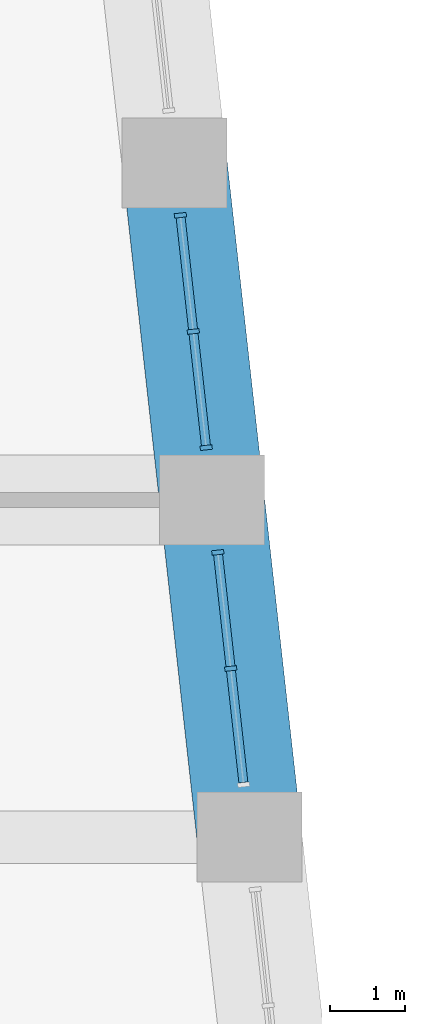
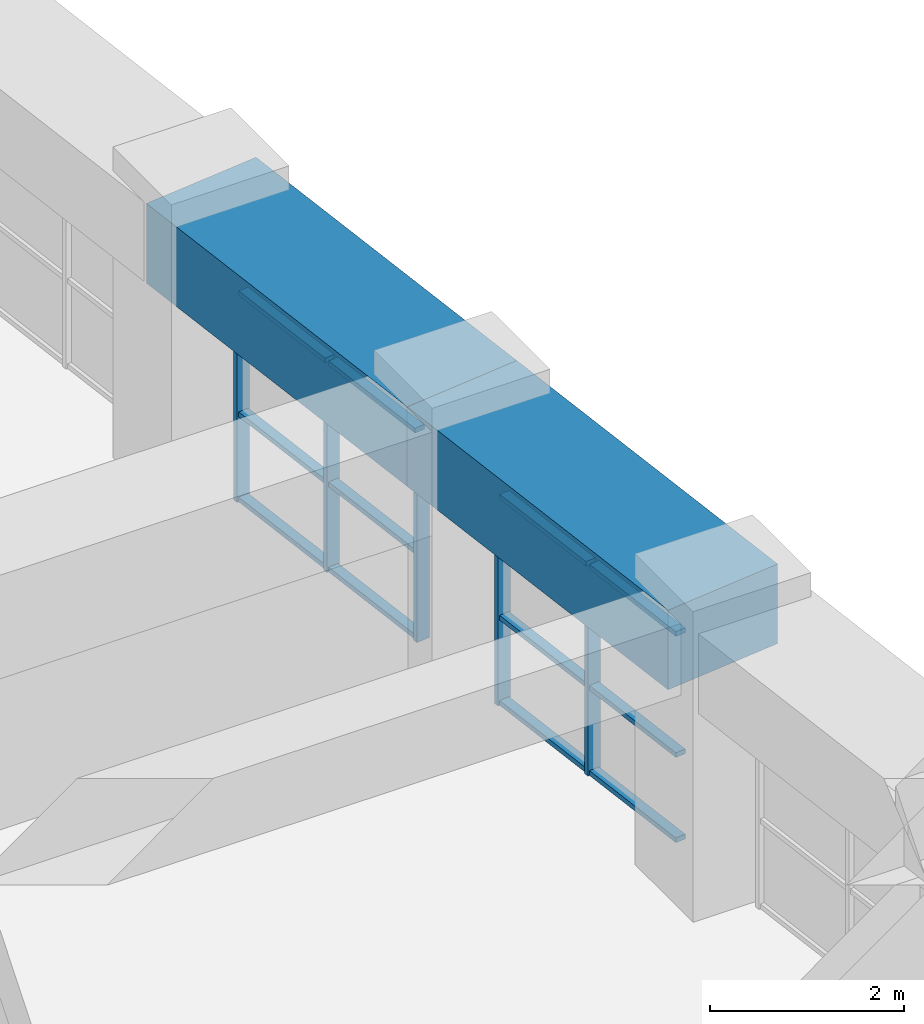
# One storey, part 7 of 15: 17 members, 2 beams, 2 elements without a shape of their own.
"""IFC4 building model written with IfcOpenShell, lengths in metres."""

from ifc_helpers import new_model, si_unit, direction, frame, origin, origin_2d, place, context, subcontext, project, spatial, rectangle, extrude, material, material_profile, profile_set, type_object, element, aggregate, save


model = new_model("IFC4")

# Units and contexts
model_context = context("Model", 3, precision=1e-05, world=origin(), true_north=direction((0.0, 1.0)))
body_context = subcontext(model_context, "Body", "Model", "MODEL_VIEW")
ifc_project = project(units=[si_unit("LENGTHUNIT", "METRE"), si_unit("AREAUNIT", "SQUARE_METRE"), si_unit("VOLUMEUNIT", "CUBIC_METRE"), si_unit("PLANEANGLEUNIT", "RADIAN"), si_unit("MASSUNIT", "GRAM", prefix="KILO")], contexts=[model_context])

# Site, building, storey
site_placement = place(None, origin())
site = spatial("IfcSite", under=ifc_project, at=site_placement, CompositionType="ELEMENT")
building_placement = place(site_placement, origin())
building = spatial("IfcBuilding", under=site, at=building_placement, Name="Kilele Tower Hotel", CompositionType="ELEMENT")
storey_placement = place(building_placement, frame((0.0, 0.0, 285.800048828125)))
storey = spatial("IfcBuildingStorey", under=building, at=storey_placement, Name="L73", CompositionType="ELEMENT", Elevation=285.800048828125)

# Curtain wall, members
ifc_material_1 = material(Name="Aluminium curtain wall, clear double glazing", Category="aluminium")
curtain_wall_type = type_object("IfcCurtainWallType", Name="Sky bar curtain wall CW-6", PredefinedType="NOTDEFINED", material=ifc_material_1)
curtain_wall_1_placement = place(storey_placement, origin())
curtain_wall_1 = element("IfcCurtainWall", 1, at=curtain_wall_1_placement, inside=storey, type_object=curtain_wall_type, Name="Sky bar curtain wall CW-6 L73", PredefinedType="NOTDEFINED")
ifc_material_2 = material(Name="Aluminium EN AW-6063 T6", Category="aluminium")
ifc_material_profile_1 = material_profile(ifc_material_2, rectangle(XDim=0.159912109375, YDim=0.06005859375, at=origin_2d()))
ifc_profile_set_1 = profile_set([ifc_material_profile_1], Name="Aluminium EN AW-6063 T6")
member_type_1 = type_object("IfcMemberType", Name="Mullion 60x160 CW-6", PredefinedType="MULLION", material=ifc_profile_set_1)
member_1_placement = place(storey_placement, frame((46.75, 24.75, 0.0), z_axis=(0.0, 0.0, 1.0), x_axis=(-0.993883734681, -0.110431526007, 0.0)))
member_1 = element("IfcMember", 2, at=member_1_placement, type_object=member_type_1, Name="CW-6 mullion 2", PredefinedType="MULLION", context=body_context, shape_type="SweptSolid", body=[
    extrude(rectangle(XDim=0.159912109375, YDim=0.06005859375, at=origin_2d()), origin(), (0.0, 0.0, 1.0), 2.64990234375),
])
member_2_placement = place(storey_placement, frame((46.57763671875, 26.30078125, 0.0), z_axis=(0.0, 0.0, 1.0), x_axis=(-0.993883734681, -0.110431526007, 0.0)))
member_2 = element("IfcMember", 3, at=member_2_placement, type_object=member_type_1, Name="CW-6 mullion 3", PredefinedType="MULLION", context=body_context, shape_type="SweptSolid", body=[
    extrude(rectangle(XDim=0.159912109375, YDim=0.06005859375, at=origin_2d()), origin(), (0.0, 0.0, 1.0), 2.64990234375),
])

curtain_wall_2_placement = place(storey_placement, origin())
curtain_wall_2 = element("IfcCurtainWall", 4, at=curtain_wall_2_placement, inside=storey, type_object=curtain_wall_type, Name="Sky bar curtain wall CW-6 L73", PredefinedType="NOTDEFINED")
member_3_placement = place(storey_placement, frame((46.42236328125, 27.69921875, 0.0), z_axis=(0.0, 0.0, 1.0), x_axis=(-0.993883734681, -0.110431526007, 0.0)))
member_3 = element("IfcMember", 5, at=member_3_placement, type_object=member_type_1, Name="CW-6 mullion 1", PredefinedType="MULLION", context=body_context, shape_type="SweptSolid", body=[
    extrude(rectangle(XDim=0.159912109375, YDim=0.06005859375, at=origin_2d()), origin(), (0.0, 0.0, 1.0), 2.64990234375),
])
member_4_placement = place(storey_placement, frame((46.25, 29.25, 0.0), z_axis=(0.0, 0.0, 1.0), x_axis=(-0.993883734681, -0.110431526007, 0.0)))
member_4 = element("IfcMember", 6, at=member_4_placement, type_object=member_type_1, Name="CW-6 mullion 2", PredefinedType="MULLION", context=body_context, shape_type="SweptSolid", body=[
    extrude(rectangle(XDim=0.159912109375, YDim=0.06005859375, at=origin_2d()), origin(), (0.0, 0.0, 1.0), 2.64990234375),
])
member_5_placement = place(storey_placement, frame((46.07763671875, 30.80078125, 0.0), z_axis=(0.0, 0.0, 1.0), x_axis=(-0.993883734681, -0.110431526007, 0.0)))
member_5 = element("IfcMember", 7, at=member_5_placement, type_object=member_type_1, Name="CW-6 mullion 3", PredefinedType="MULLION", context=body_context, shape_type="SweptSolid", body=[
    extrude(rectangle(XDim=0.159912109375, YDim=0.06005859375, at=origin_2d()), origin(), (0.0, 0.0, 1.0), 2.64990234375),
])

# Beams
ifc_material_3 = material(Name="Concrete C60/75", Category="concrete")
ifc_material_profile_2 = material_profile(ifc_material_3, rectangle(XDim=1.39990234375, YDim=1.0, at=origin_2d()))
ifc_profile_set_2 = profile_set([ifc_material_profile_2], Name="Concrete C60/75")
beam_type = type_object("IfcBeamType", Name="Spandrel RC 1400x1000 C60/75", PredefinedType="SPANDREL", material=ifc_profile_set_2)
for number, where, z_axis, x_axis, name in (
    (8, (47.0, 22.5, 3.099853515625), (-0.110431526075, 0.993883734674, 0.0), (-0.993883734674, -0.110431526075, 0.0), "Spandrel SP1 level CROWN"),
    (9, (46.5, 27.0, 3.099853515625), (-0.110431526075, 0.993883734674, 0.0), (-0.993883734674, -0.110431526075, 0.0), "Spandrel SP1 level CROWN"),
):
    element("IfcBeam", number, at=place(storey_placement, frame(where, z_axis=z_axis, x_axis=x_axis)), inside=storey, type_object=beam_type, Name=name, PredefinedType="SPANDREL", context=body_context, shape_type="SweptSolid", body=[
        extrude(rectangle(XDim=1.39990234375, YDim=1.0, at=origin_2d()), origin(), (0.0, 0.0, 1.0), 4.527587890625),
    ])

# Member
ifc_material_4 = material(Name="Aluminium EN AW-6063 T6", Category="aluminium")
ifc_material_profile_3 = material_profile(ifc_material_4, rectangle(XDim=0.1201171875, YDim=0.06005859375, at=origin_2d()))
ifc_profile_set_3 = profile_set([ifc_material_profile_3], Name="Aluminium EN AW-6063 T6")
member_type_2 = type_object("IfcMemberType", Name="Transom 60x120 CW-6", PredefinedType="USERDEFINED", material=ifc_profile_set_3)
member_6_placement = place(storey_placement, frame((46.9189453125, 23.229248046875, 0.030029296875), z_axis=(-0.110342213455, 0.993893654236, 0.0), x_axis=(-0.993893654236, -0.110342213455, 0.0)))
member_6 = element("IfcMember", 10, at=member_6_placement, type_object=member_type_2, Name="CW-6 transom 1.1", ObjectType="TRANSOM", PredefinedType="USERDEFINED", context=body_context, shape_type="SweptSolid", body=[
    extrude(rectangle(XDim=0.1201171875, YDim=0.06005859375, at=origin_2d()), origin(), (0.0, 0.0, 1.0), 1.500244140625),
])

member_7_placement = place(storey_placement, frame((46.9189453125, 23.229248046875, 1.099853515625), z_axis=(-0.110342213455, 0.993893654236, 0.0), x_axis=(-0.993893654236, -0.110342213455, 0.0)))
member_7 = element("IfcMember", 11, at=member_7_placement, type_object=member_type_2, Name="CW-6 transom 1.2", ObjectType="TRANSOM", PredefinedType="USERDEFINED", context=body_context, shape_type="SweptSolid", body=[
    extrude(rectangle(XDim=0.1201171875, YDim=0.06005859375, at=origin_2d()), origin(), (0.0, 0.0, 1.0), 1.500244140625),
])

member_8_placement = place(storey_placement, frame((46.9189453125, 23.229248046875, 2.619873046875), z_axis=(-0.110342213455, 0.993893654236, 0.0), x_axis=(-0.993893654236, -0.110342213455, 0.0)))
member_8 = element("IfcMember", 12, at=member_8_placement, type_object=member_type_2, Name="CW-6 transom 1.3", ObjectType="TRANSOM", PredefinedType="USERDEFINED", context=body_context, shape_type="SweptSolid", body=[
    extrude(rectangle(XDim=0.1201171875, YDim=0.06005859375, at=origin_2d()), origin(), (0.0, 0.0, 1.0), 1.500244140625),
])

member_9_placement = place(storey_placement, frame((46.74658203125, 24.77978515625, 0.030029296875), z_axis=(-0.110342213455, 0.993893654236, 0.0), x_axis=(-0.993893654236, -0.110342213455, 0.0)))
member_9 = element("IfcMember", 13, at=member_9_placement, type_object=member_type_2, Name="CW-6 transom 2.1", ObjectType="TRANSOM", PredefinedType="USERDEFINED", context=body_context, shape_type="SweptSolid", body=[
    extrude(rectangle(XDim=0.1201171875, YDim=0.06005859375, at=origin_2d()), origin(), (0.0, 0.0, 1.0), 1.500244140625),
])

member_10_placement = place(storey_placement, frame((46.74658203125, 24.77978515625, 1.099853515625), z_axis=(-0.110342213455, 0.993893654236, 0.0), x_axis=(-0.993893654236, -0.110342213455, 0.0)))
member_10 = element("IfcMember", 14, at=member_10_placement, type_object=member_type_2, Name="CW-6 transom 2.2", ObjectType="TRANSOM", PredefinedType="USERDEFINED", context=body_context, shape_type="SweptSolid", body=[
    extrude(rectangle(XDim=0.1201171875, YDim=0.06005859375, at=origin_2d()), origin(), (0.0, 0.0, 1.0), 1.500244140625),
])

member_11_placement = place(storey_placement, frame((46.74658203125, 24.77978515625, 2.619873046875), z_axis=(-0.110342213455, 0.993893654236, 0.0), x_axis=(-0.993893654236, -0.110342213455, 0.0)))
member_11 = element("IfcMember", 15, at=member_11_placement, type_object=member_type_2, Name="CW-6 transom 2.3", ObjectType="TRANSOM", PredefinedType="USERDEFINED", context=body_context, shape_type="SweptSolid", body=[
    extrude(rectangle(XDim=0.1201171875, YDim=0.06005859375, at=origin_2d()), origin(), (0.0, 0.0, 1.0), 1.500244140625),
])

aggregate(curtain_wall_1, [member_1, member_2, member_6, member_7, member_8, member_9, member_10, member_11])

member_12_placement = place(storey_placement, frame((46.4189453125, 27.729248046875, 0.030029296875), z_axis=(-0.110342213455, 0.993893654236, 0.0), x_axis=(-0.993893654236, -0.110342213455, 0.0)))
member_12 = element("IfcMember", 16, at=member_12_placement, type_object=member_type_2, Name="CW-6 transom 1.1", ObjectType="TRANSOM", PredefinedType="USERDEFINED", context=body_context, shape_type="SweptSolid", body=[
    extrude(rectangle(XDim=0.1201171875, YDim=0.06005859375, at=origin_2d()), origin(), (0.0, 0.0, 1.0), 1.500244140625),
])

member_13_placement = place(storey_placement, frame((46.4189453125, 27.729248046875, 1.099853515625), z_axis=(-0.110342213455, 0.993893654236, 0.0), x_axis=(-0.993893654236, -0.110342213455, 0.0)))
member_13 = element("IfcMember", 17, at=member_13_placement, type_object=member_type_2, Name="CW-6 transom 1.2", ObjectType="TRANSOM", PredefinedType="USERDEFINED", context=body_context, shape_type="SweptSolid", body=[
    extrude(rectangle(XDim=0.1201171875, YDim=0.06005859375, at=origin_2d()), origin(), (0.0, 0.0, 1.0), 1.500244140625),
])

member_14_placement = place(storey_placement, frame((46.4189453125, 27.729248046875, 2.619873046875), z_axis=(-0.110342213455, 0.993893654236, 0.0), x_axis=(-0.993893654236, -0.110342213455, 0.0)))
member_14 = element("IfcMember", 18, at=member_14_placement, type_object=member_type_2, Name="CW-6 transom 1.3", ObjectType="TRANSOM", PredefinedType="USERDEFINED", context=body_context, shape_type="SweptSolid", body=[
    extrude(rectangle(XDim=0.1201171875, YDim=0.06005859375, at=origin_2d()), origin(), (0.0, 0.0, 1.0), 1.500244140625),
])

member_15_placement = place(storey_placement, frame((46.24658203125, 29.27978515625, 0.030029296875), z_axis=(-0.110342213455, 0.993893654236, 0.0), x_axis=(-0.993893654236, -0.110342213455, 0.0)))
member_15 = element("IfcMember", 19, at=member_15_placement, type_object=member_type_2, Name="CW-6 transom 2.1", ObjectType="TRANSOM", PredefinedType="USERDEFINED", context=body_context, shape_type="SweptSolid", body=[
    extrude(rectangle(XDim=0.1201171875, YDim=0.06005859375, at=origin_2d()), origin(), (0.0, 0.0, 1.0), 1.500244140625),
])

member_16_placement = place(storey_placement, frame((46.24658203125, 29.27978515625, 1.099853515625), z_axis=(-0.110342213455, 0.993893654236, 0.0), x_axis=(-0.993893654236, -0.110342213455, 0.0)))
member_16 = element("IfcMember", 20, at=member_16_placement, type_object=member_type_2, Name="CW-6 transom 2.2", ObjectType="TRANSOM", PredefinedType="USERDEFINED", context=body_context, shape_type="SweptSolid", body=[
    extrude(rectangle(XDim=0.1201171875, YDim=0.06005859375, at=origin_2d()), origin(), (0.0, 0.0, 1.0), 1.500244140625),
])

member_17_placement = place(storey_placement, frame((46.24658203125, 29.27978515625, 2.619873046875), z_axis=(-0.110342213455, 0.993893654236, 0.0), x_axis=(-0.993893654236, -0.110342213455, 0.0)))
member_17 = element("IfcMember", 21, at=member_17_placement, type_object=member_type_2, Name="CW-6 transom 2.3", ObjectType="TRANSOM", PredefinedType="USERDEFINED", context=body_context, shape_type="SweptSolid", body=[
    extrude(rectangle(XDim=0.1201171875, YDim=0.06005859375, at=origin_2d()), origin(), (0.0, 0.0, 1.0), 1.500244140625),
])

aggregate(curtain_wall_2, [member_3, member_4, member_5, member_12, member_13, member_14, member_15, member_16, member_17])

save(model, "model.ifc")
